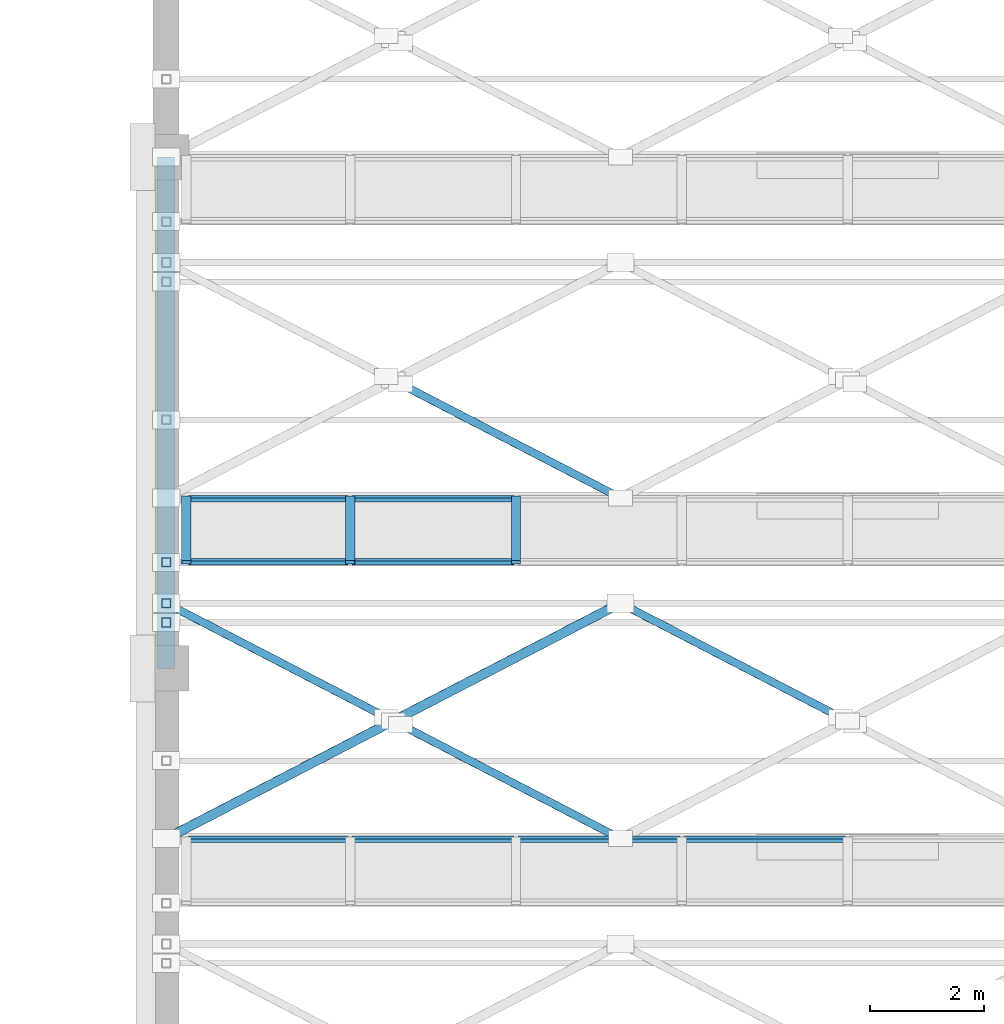
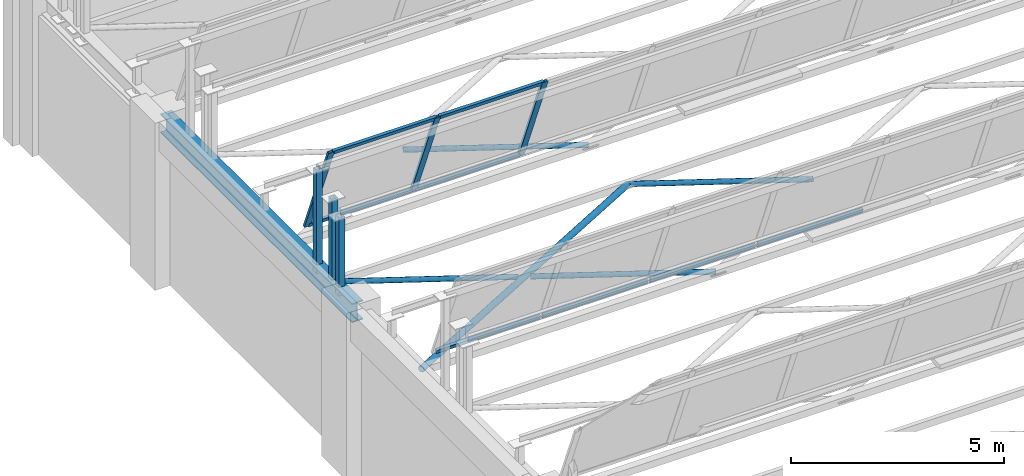
# One storey, part 57 of 98: 19 members, 1 beam, 2 elements without a shape of their own.
"""IFC4 building model written with IfcOpenShell, lengths in metres."""

from ifc_helpers import new_model, si_unit, direction, frame, origin, origin_2d, place, context, subcontext, project, spatial, hollow_rectangle, hollow_circle, i_section, extrude, material, material_profile, profile_set, type_object, element, aggregate, save


model = new_model("IFC4")

# Units and contexts
model_context = context("Model", 3, precision=1e-05, world=origin(), true_north=direction((0.0, 1.0)))
body_context = subcontext(model_context, "Body", "Model", "MODEL_VIEW")
ifc_project = project(units=[si_unit("LENGTHUNIT", "METRE"), si_unit("AREAUNIT", "SQUARE_METRE"), si_unit("VOLUMEUNIT", "CUBIC_METRE"), si_unit("PLANEANGLEUNIT", "RADIAN"), si_unit("MASSUNIT", "GRAM", prefix="KILO")], contexts=[model_context])

# Site, building, storey
site_placement = place(None, origin())
site = spatial("IfcSite", under=ifc_project, at=site_placement, CompositionType="ELEMENT")
building_placement = place(site_placement, origin())
building = spatial("IfcBuilding", under=site, at=building_placement, Name="Lykobir Media Centre", CompositionType="ELEMENT")
storey_placement = place(building_placement, frame((0.0, 0.0, 10.199951171875)))
storey = spatial("IfcBuildingStorey", under=building, at=storey_placement, Name="L02", CompositionType="ELEMENT", Elevation=10.199951171875)

# Beam
ifc_material_1 = material(Name="Steel S355", Category="steel")
ifc_material_profile_1 = material_profile(ifc_material_1, i_section(OverallWidth=0.300048828125, OverallDepth=0.550048828125, WebThickness=0.014892578125, FlangeThickness=0.029052734375, at=origin_2d()), Name="HEB 550")
ifc_profile_set_1 = profile_set([ifc_material_profile_1], Name="Steel S355")
beam_type = type_object("IfcBeamType", Name="BM-HEB550-E", PredefinedType="BEAM", material=ifc_profile_set_1)
beam_placement = place(storey_placement, frame((144.0, 99.0, 4.275146484375), z_axis=(0.0, 1.0, 0.0), x_axis=(-1.0, 0.0, 0.0)))
element("IfcBeam", 1, at=beam_placement, inside=storey, type_object=beam_type, Name="Beam BM-L02-1440-0990-1440-1080-1448", PredefinedType="BEAM", context=body_context, shape_type="SweptSolid", body=[
    extrude(i_section(OverallWidth=0.300048828125, OverallDepth=0.550048828125, WebThickness=0.014892578125, FlangeThickness=0.029052734375, at=origin_2d()), origin(), (0.0, 0.0, 1.0), 9.0),
])

# Members
ifc_material_profile_2 = material_profile(ifc_material_1, hollow_circle(Radius=0.06982421875, WallThickness=0.008056640625, at=origin_2d()), Name="CHS 139.7x8.0")
ifc_profile_set_2 = profile_set([ifc_material_profile_2], Name="Steel S355")
member_type_1 = type_object("IfcMemberType", Name="BR-CHS140", PredefinedType="BRACE", material=ifc_profile_set_2)
member_1_placement = place(storey_placement, frame((152.0, 96.0, 4.43994140625), z_axis=(-0.887879780504, 0.460075532247, 0.0), x_axis=(-0.460075532247, -0.887879780504, 0.0)))
element("IfcMember", 2, at=member_1_placement, inside=storey, type_object=member_type_1, Name="Diagonal brace MEM2-L02-1520-0960-0146-1481-0980-0369", PredefinedType="BRACE", context=body_context, shape_type="SweptSolid", body=[
    extrude(hollow_circle(Radius=0.06982421875, WallThickness=0.008056640625, at=origin_2d()), origin(), (0.0, 0.0, 1.0), 4.365234375),
])
for number, where, z_axis, x_axis, name in (
    (3, (147.875732421875, 98.136962890625, 4.43994140625), (-0.88790262671, 0.460031439666, 0.0), (-0.460031439666, -0.88790262671, 0.0), "Diagonal brace MEM2-L02-1479-0981-0146-1440-1001-0370"),
    (4, (155.875732421875, 98.136962890625, 4.43994140625), (-0.88790262671, 0.460031439666, 0.0), (-0.460031439666, -0.88790262671, 0.0), "Diagonal brace MEM2-L02-1559-0981-0146-1520-1001-0373"),
):
    element("IfcMember", number, at=place(storey_placement, frame(where, z_axis=z_axis, x_axis=x_axis)), inside=storey, type_object=member_type_1, Name=name, PredefinedType="BRACE", context=body_context, shape_type="SweptSolid", body=[
        extrude(hollow_circle(Radius=0.06982421875, WallThickness=0.008056640625, at=origin_2d()), origin(), (0.0, 0.0, 1.0), 4.364990234375),
    ])
member_2_placement = place(storey_placement, frame((152.0, 102.0, 4.43994140625), z_axis=(-0.887879780504, 0.460075532247, 0.0), x_axis=(-0.460075532247, -0.887879780504, 0.0)))
element("IfcMember", 5, at=member_2_placement, inside=storey, type_object=member_type_1, Name="Diagonal brace MEM2-L02-1520-1020-0146-1481-1040-0389", PredefinedType="BRACE", context=body_context, shape_type="SweptSolid", body=[
    extrude(hollow_circle(Radius=0.06982421875, WallThickness=0.008056640625, at=origin_2d()), origin(), (0.0, 0.0, 1.0), 4.365234375),
])
ifc_material_profile_3 = material_profile(ifc_material_1, hollow_circle(Radius=0.084228515625, WallThickness=0.010009765625, at=origin_2d()), Name="CHS 168.3x10.0")
ifc_profile_set_3 = profile_set([ifc_material_profile_3], Name="Steel S355")
member_type_2 = type_object("IfcMemberType", Name="BR-CHS168", PredefinedType="BRACE", material=ifc_profile_set_3)
member_3_placement = place(storey_placement, frame((144.0, 96.0, 4.43994140625), z_axis=(0.887896386773, 0.460043483113, 0.0), x_axis=(-0.460043483113, 0.887896386773, 0.0)))
element("IfcMember", 6, at=member_3_placement, inside=storey, type_object=member_type_2, Name="Diagonal brace MEM2-L02-1440-0960-0146-1520-1001-0368", PredefinedType="BRACE", context=body_context, shape_type="SweptSolid", body=[
    extrude(hollow_circle(Radius=0.084228515625, WallThickness=0.010009765625, at=origin_2d()), origin(), (0.0, 0.0, 1.0), 9.010009765625),
])
ifc_material_profile_4 = material_profile(ifc_material_1, hollow_rectangle(XDim=0.159912109375, YDim=0.159912109375, WallThickness=0.008056640625, at=origin_2d()), Name="SHS 160x160x8")
ifc_profile_set_4 = profile_set([ifc_material_profile_4], Name="Steel S355")
member_type_3 = type_object("IfcMemberType", Name="BR-SHS160", PredefinedType="BRACE", material=ifc_profile_set_4)
member_4_placement = place(storey_placement, frame((144.0, 100.864990234375, 4.300048828125), z_axis=(0.0, 0.0, 1.0), x_axis=(1.0, 0.0, 0.0)))
element("IfcMember", 7, at=member_4_placement, inside=storey, type_object=member_type_3, Name="Diagonal brace MEM2-L02-1440-1009-0145-1440-1009-0362", PredefinedType="BRACE", context=body_context, shape_type="SweptSolid", body=[
    extrude(hollow_rectangle(XDim=0.159912109375, YDim=0.159912109375, WallThickness=0.008056640625, at=origin_2d()), origin(), (0.0, 0.0, 1.0), 2.958984375),
])
member_5_placement = place(storey_placement, frame((144.0, 100.14501953125, 4.43994140625), z_axis=(0.0, 0.0, 1.0), x_axis=(1.0, 0.0, 0.0)))
element("IfcMember", 8, at=member_5_placement, inside=storey, type_object=member_type_3, Name="Diagonal brace MEM2-L02-1440-1001-0146-1440-1001-0364", PredefinedType="BRACE", context=body_context, shape_type="SweptSolid", body=[
    extrude(hollow_rectangle(XDim=0.159912109375, YDim=0.159912109375, WallThickness=0.008056640625, at=origin_2d()), origin(), (0.0, 0.0, 1.0), 2.433349609375),
])
member_6_placement = place(storey_placement, frame((144.0, 99.805908203125, 4.300048828125), z_axis=(0.0, 0.0, 1.0), x_axis=(1.0, 0.0, 0.0)))
element("IfcMember", 9, at=member_6_placement, inside=storey, type_object=member_type_3, Name="Diagonal brace MEM2-L02-1440-0998-0145-1440-0998-0379", PredefinedType="BRACE", context=body_context, shape_type="SweptSolid", body=[
    extrude(hollow_rectangle(XDim=0.159912109375, YDim=0.159912109375, WallThickness=0.008056640625, at=origin_2d()), origin(), (0.0, 0.0, 1.0), 2.24462890625),
])

# Curtain wall, members
ifc_material_2 = material(Name="Anodized Aluminium AW-6060", Category="aluminium")
curtain_wall_type = type_object("IfcCurtainWallType", Name="CW-NL-V2", PredefinedType="NOTDEFINED", material=ifc_material_2)
curtain_wall_1_placement = place(storey_placement, origin())
curtain_wall_1 = element("IfcCurtainWall", 10, at=curtain_wall_1_placement, inside=storey, type_object=curtain_wall_type, Name="Curtain wall CW-NL-V2-05", PredefinedType="NOTDEFINED")
ifc_material_profile_5 = material_profile(ifc_material_2, hollow_rectangle(XDim=0.070068359375, YDim=0.1650390625, WallThickness=0.00390625, at=origin_2d()), Name="ALU MULLION 70x165")
ifc_profile_set_5 = profile_set([ifc_material_profile_5], Name="Anodized Aluminium AW-6060")
member_type_4 = type_object("IfcMemberType", Name="CWM-165", PredefinedType="MULLION", material=ifc_profile_set_5)
member_7_placement = place(storey_placement, frame((144.35498046875, 102.0, 4.800048828125), z_axis=(0.0, -0.374653582974, 0.927164868168), x_axis=(0.0, 0.927164868168, 0.374653582974)))
member_7 = element("IfcMember", 11, at=member_7_placement, type_object=member_type_4, Name="CW-NL-V2-05 mullion 1", PredefinedType="MULLION", context=body_context, shape_type="SweptSolid", body=[
    extrude(hollow_rectangle(XDim=0.070068359375, YDim=0.1650390625, WallThickness=0.00390625, at=origin_2d()), origin(), (0.0, 0.0, 1.0), 3.029541015625),
])
member_8_placement = place(storey_placement, frame((147.239990234375, 102.0, 4.800048828125), z_axis=(0.0, -0.374653582974, 0.927164868168), x_axis=(0.0, 0.927164868168, 0.374653582974)))
member_8 = element("IfcMember", 12, at=member_8_placement, type_object=member_type_4, Name="CW-NL-V2-05 mullion 2", PredefinedType="MULLION", context=body_context, shape_type="SweptSolid", body=[
    extrude(hollow_rectangle(XDim=0.070068359375, YDim=0.1650390625, WallThickness=0.00390625, at=origin_2d()), origin(), (0.0, 0.0, 1.0), 3.029541015625),
])
member_9_placement = place(storey_placement, frame((150.159912109375, 102.0, 4.800048828125), z_axis=(0.0, -0.374653582974, 0.927164868168), x_axis=(0.0, 0.927164868168, 0.374653582974)))
member_9 = element("IfcMember", 13, at=member_9_placement, type_object=member_type_4, Name="CW-NL-V2-05 mullion 3", PredefinedType="MULLION", context=body_context, shape_type="SweptSolid", body=[
    extrude(hollow_rectangle(XDim=0.070068359375, YDim=0.1650390625, WallThickness=0.00390625, at=origin_2d()), origin(), (0.0, 0.0, 1.0), 3.029541015625),
])

curtain_wall_2_placement = place(storey_placement, origin())
curtain_wall_2 = element("IfcCurtainWall", 14, at=curtain_wall_2_placement, inside=storey, type_object=curtain_wall_type, Name="Curtain wall CW-NL-V2-04", PredefinedType="NOTDEFINED")
ifc_material_profile_6 = material_profile(ifc_material_2, hollow_rectangle(XDim=0.070068359375, YDim=0.135009765625, WallThickness=0.00341796875, at=origin_2d()), Name="ALU TRANSOM 70x135")
ifc_profile_set_6 = profile_set([ifc_material_profile_6], Name="Anodized Aluminium AW-6060")
member_type_5 = type_object("IfcMemberType", Name="CWT-135", PredefinedType="USERDEFINED", material=ifc_profile_set_6)
member_10_placement = place(storey_placement, frame((144.389892578125, 95.98681640625, 4.83251953125), z_axis=(1.0, 0.0, 0.0), x_axis=(0.0, 0.927183854567, 0.374606593416)))
member_10 = element("IfcMember", 15, at=member_10_placement, type_object=member_type_5, Name="CW-NL-V2-04 transom 1.1", ObjectType="TRANSOM", PredefinedType="USERDEFINED", context=body_context, shape_type="SweptSolid", body=[
    extrude(hollow_rectangle(XDim=0.070068359375, YDim=0.135009765625, WallThickness=0.00341796875, at=origin_2d()), origin(), (0.0, 0.0, 1.0), 2.815185546875),
])
member_11_placement = place(storey_placement, frame((147.27490234375, 95.98681640625, 4.83251953125), z_axis=(1.0, 0.0, 0.0), x_axis=(0.0, 0.927183854567, 0.374606593416)))
member_11 = element("IfcMember", 16, at=member_11_placement, type_object=member_type_5, Name="CW-NL-V2-04 transom 2.1", ObjectType="TRANSOM", PredefinedType="USERDEFINED", context=body_context, shape_type="SweptSolid", body=[
    extrude(hollow_rectangle(XDim=0.070068359375, YDim=0.135009765625, WallThickness=0.00341796875, at=origin_2d()), origin(), (0.0, 0.0, 1.0), 2.85009765625),
])
member_12_placement = place(storey_placement, frame((150.195068359375, 95.98681640625, 4.83251953125), z_axis=(1.0, 0.0, 0.0), x_axis=(0.0, 0.927183854567, 0.374606593416)))
member_12 = element("IfcMember", 17, at=member_12_placement, type_object=member_type_5, Name="CW-NL-V2-04 transom 3.1", ObjectType="TRANSOM", PredefinedType="USERDEFINED", context=body_context, shape_type="SweptSolid", body=[
    extrude(hollow_rectangle(XDim=0.070068359375, YDim=0.135009765625, WallThickness=0.00341796875, at=origin_2d()), origin(), (0.0, 0.0, 1.0), 2.849853515625),
])
member_13_placement = place(storey_placement, frame((153.114990234375, 95.98681640625, 4.83251953125), z_axis=(1.0, 0.0, 0.0), x_axis=(0.0, 0.927183854567, 0.374606593416)))
member_13 = element("IfcMember", 18, at=member_13_placement, type_object=member_type_5, Name="CW-NL-V2-04 transom 4.1", ObjectType="TRANSOM", PredefinedType="USERDEFINED", context=body_context, shape_type="SweptSolid", body=[
    extrude(hollow_rectangle(XDim=0.070068359375, YDim=0.135009765625, WallThickness=0.00341796875, at=origin_2d()), origin(), (0.0, 0.0, 1.0), 2.85009765625),
])
aggregate(curtain_wall_2, [member_10, member_11, member_12, member_13])

# Member
member_14_placement = place(storey_placement, frame((144.389892578125, 101.98681640625, 4.83251953125), z_axis=(1.0, 0.0, 0.0), x_axis=(0.0, 0.927183854567, 0.374606593416)))
member_14 = element("IfcMember", 19, at=member_14_placement, type_object=member_type_5, Name="CW-NL-V2-05 transom 1.1", ObjectType="TRANSOM", PredefinedType="USERDEFINED", context=body_context, shape_type="SweptSolid", body=[
    extrude(hollow_rectangle(XDim=0.070068359375, YDim=0.135009765625, WallThickness=0.00341796875, at=origin_2d()), origin(), (0.0, 0.0, 1.0), 2.815185546875),
])

member_15_placement = place(storey_placement, frame((144.389892578125, 100.878173828125, 7.57666015625), z_axis=(1.0, 0.0, 0.0), x_axis=(0.0, 0.927183854567, 0.374606593416)))
member_15 = element("IfcMember", 20, at=member_15_placement, type_object=member_type_5, Name="CW-NL-V2-05 transom 1.2", ObjectType="TRANSOM", PredefinedType="USERDEFINED", context=body_context, shape_type="SweptSolid", body=[
    extrude(hollow_rectangle(XDim=0.070068359375, YDim=0.135009765625, WallThickness=0.00341796875, at=origin_2d()), origin(), (0.0, 0.0, 1.0), 2.815185546875),
])

member_16_placement = place(storey_placement, frame((147.27490234375, 101.98681640625, 4.83251953125), z_axis=(1.0, 0.0, 0.0), x_axis=(0.0, 0.927183854567, 0.374606593416)))
member_16 = element("IfcMember", 21, at=member_16_placement, type_object=member_type_5, Name="CW-NL-V2-05 transom 2.1", ObjectType="TRANSOM", PredefinedType="USERDEFINED", context=body_context, shape_type="SweptSolid", body=[
    extrude(hollow_rectangle(XDim=0.070068359375, YDim=0.135009765625, WallThickness=0.00341796875, at=origin_2d()), origin(), (0.0, 0.0, 1.0), 2.85009765625),
])

member_17_placement = place(storey_placement, frame((147.27490234375, 100.878173828125, 7.57666015625), z_axis=(1.0, 0.0, 0.0), x_axis=(0.0, 0.927183854567, 0.374606593416)))
member_17 = element("IfcMember", 22, at=member_17_placement, type_object=member_type_5, Name="CW-NL-V2-05 transom 2.2", ObjectType="TRANSOM", PredefinedType="USERDEFINED", context=body_context, shape_type="SweptSolid", body=[
    extrude(hollow_rectangle(XDim=0.070068359375, YDim=0.135009765625, WallThickness=0.00341796875, at=origin_2d()), origin(), (0.0, 0.0, 1.0), 2.85009765625),
])

aggregate(curtain_wall_1, [member_7, member_8, member_9, member_14, member_15, member_16, member_17])

save(model, "model.ifc")
